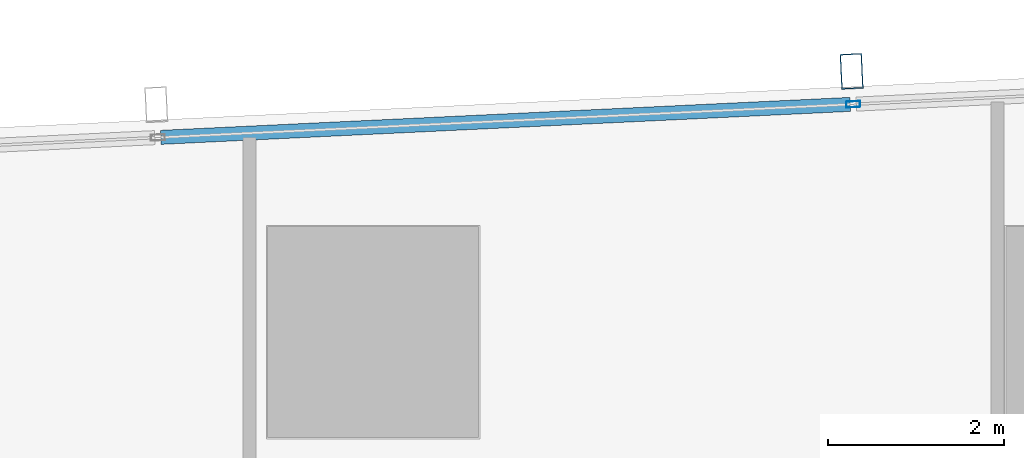
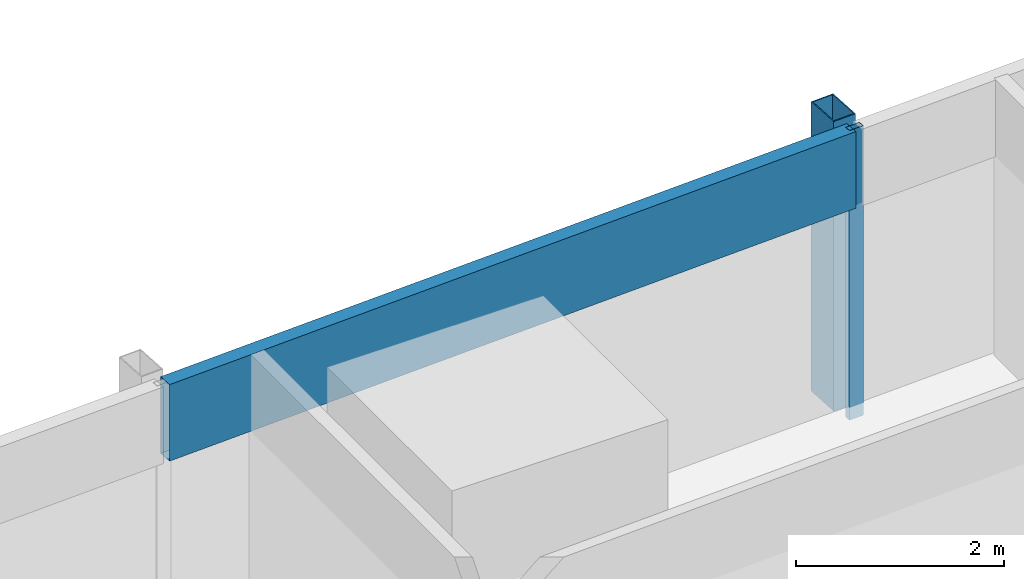
# One storey, part 15 of 34: 3 members, 1 element without a shape of its own.
"""IFC4 building model written with IfcOpenShell, lengths in metres."""

from ifc_helpers import new_model, si_unit, direction, frame, origin, origin_2d, place, context, subcontext, project, spatial, hollow_rectangle, extrude, material, material_profile, profile_set, type_object, element, aggregate, save


model = new_model("IFC4")

# Units and contexts
model_context = context("Model", 3, precision=1e-05, world=origin(), true_north=direction((0.0, 1.0)))
body_context = subcontext(model_context, "Body", "Model", "MODEL_VIEW")
ifc_project = project(units=[si_unit("LENGTHUNIT", "METRE"), si_unit("AREAUNIT", "SQUARE_METRE"), si_unit("VOLUMEUNIT", "CUBIC_METRE"), si_unit("PLANEANGLEUNIT", "RADIAN"), si_unit("MASSUNIT", "GRAM", prefix="KILO")], contexts=[model_context])

# Site, building, storey
site_placement = place(None, origin())
site = spatial("IfcSite", under=ifc_project, at=site_placement, CompositionType="ELEMENT")
building_placement = place(site_placement, origin())
building = spatial("IfcBuilding", under=site, at=building_placement, Name="Rekha Terrace Tower", CompositionType="ELEMENT")
storey_placement = place(building_placement, frame((0.0, 0.0, 236.449951171875)))
storey = spatial("IfcBuildingStorey", under=building, at=storey_placement, Name="L60", CompositionType="ELEMENT", Elevation=236.449951171875)

# Curtain wall, members
ifc_material_1 = material(Name="Aluminium framing", Category="aluminium")
curtain_wall_type = type_object("IfcCurtainWallType", Name="CW3 north unitised glazing", PredefinedType="USERDEFINED", material=ifc_material_1)
curtain_wall_placement = place(storey_placement, origin())
curtain_wall = element("IfcCurtainWall", 1, at=curtain_wall_placement, inside=storey, type_object=curtain_wall_type, Name="CW3 unitised curtain wall", ObjectType="UNITISED CURTAIN WALL", PredefinedType="USERDEFINED")
ifc_material_2 = material(Name="Steel S355 with fluorocarbon finish", Category="steel")
ifc_material_profile_1 = material_profile(ifc_material_2, hollow_rectangle(XDim=0.25, YDim=0.39990234375, WallThickness=0.012451171875, at=origin_2d()), Name="RHS400x250x12.5")
ifc_profile_set_1 = profile_set([ifc_material_profile_1], Name="Steel S355 with fluorocarbon finish")
member_type_1 = type_object("IfcMemberType", Name="BL1 facade blade RHS 400 x 250", PredefinedType="USERDEFINED", material=ifc_profile_set_1)
member_1_placement = place(storey_placement, frame((30.643310546875, 61.767578125, 0.0), z_axis=(0.0, 0.0, 1.0), x_axis=(-0.998858913274, -0.04775846913, 0.0)))
member_1 = element("IfcMember", 2, at=member_1_placement, type_object=member_type_1, Name="Facade blade", ObjectType="FACADE BLADE", PredefinedType="USERDEFINED", context=body_context, shape_type="SweptSolid", body=[
    extrude(hollow_rectangle(XDim=0.25, YDim=0.39990234375, WallThickness=0.012451171875, at=origin_2d()), origin(), (0.0, 0.0, 1.0), 3.400146484375),
])
ifc_material_3 = material(Name="Aluminium mullion section", Category="aluminium")
ifc_material_profile_2 = material_profile(ifc_material_3, hollow_rectangle(XDim=0.070068359375, YDim=0.159912109375, WallThickness=0.00390625, at=origin_2d()), Name="AL RHS 70x160")
ifc_profile_set_2 = profile_set([ifc_material_profile_2], Name="Aluminium mullion section")
member_type_2 = type_object("IfcMemberType", Name="CW3 mullion RHS 70 x 160", PredefinedType="MULLION", material=ifc_profile_set_2)
member_2_placement = place(storey_placement, frame((30.6611328125, 61.39306640625, 0.0), z_axis=(0.0, 0.0, 1.0), x_axis=(0.047758616983, -0.998858906204, 0.0)))
member_2 = element("IfcMember", 3, at=member_2_placement, type_object=member_type_2, Name="CW3 mullion 3", PredefinedType="MULLION", context=body_context, shape_type="SweptSolid", body=[
    extrude(hollow_rectangle(XDim=0.070068359375, YDim=0.159912109375, WallThickness=0.00390625, at=origin_2d()), origin(), (0.0, 0.0, 1.0), 3.400146484375),
])
ifc_material_4 = material(Name="Insulated aluminium spandrel box", Category="aluminium")
ifc_material_profile_3 = material_profile(ifc_material_4, hollow_rectangle(XDim=0.159912109375, YDim=0.89990234375, WallThickness=0.0029296875, at=origin_2d()), Name="AL SPANDREL BOX 160x900")
ifc_profile_set_3 = profile_set([ifc_material_profile_3], Name="Insulated aluminium spandrel box")
member_type_3 = type_object("IfcMemberType", Name="CW3 spandrel transom 160 x 900", PredefinedType="USERDEFINED", material=ifc_profile_set_3)
member_3_placement = place(storey_placement, frame((30.626220703125, 61.391357421875, 2.949951171875), z_axis=(-0.998859323292, -0.047749892907, 0.0), x_axis=(0.047749892907, -0.998859323292, 0.0)))
member_3 = element("IfcMember", 4, at=member_3_placement, type_object=member_type_3, Name="CW3 spandrel transom 3", ObjectType="TRANSOM", PredefinedType="USERDEFINED", context=body_context, shape_type="SweptSolid", body=[
    extrude(hollow_rectangle(XDim=0.159912109375, YDim=0.89990234375, WallThickness=0.0029296875, at=origin_2d()), origin(), (0.0, 0.0, 1.0), 7.848388671875),
])
aggregate(curtain_wall, [member_2, member_3, member_1])

save(model, "model.ifc")
